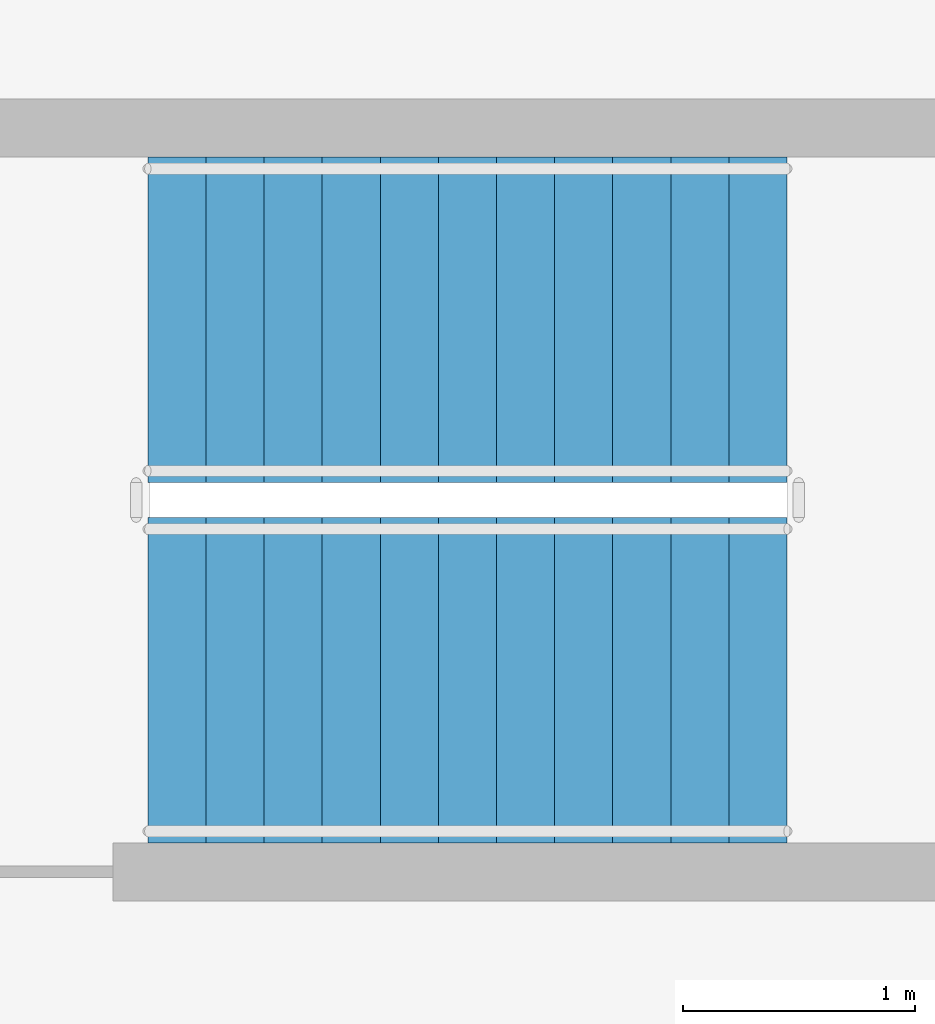
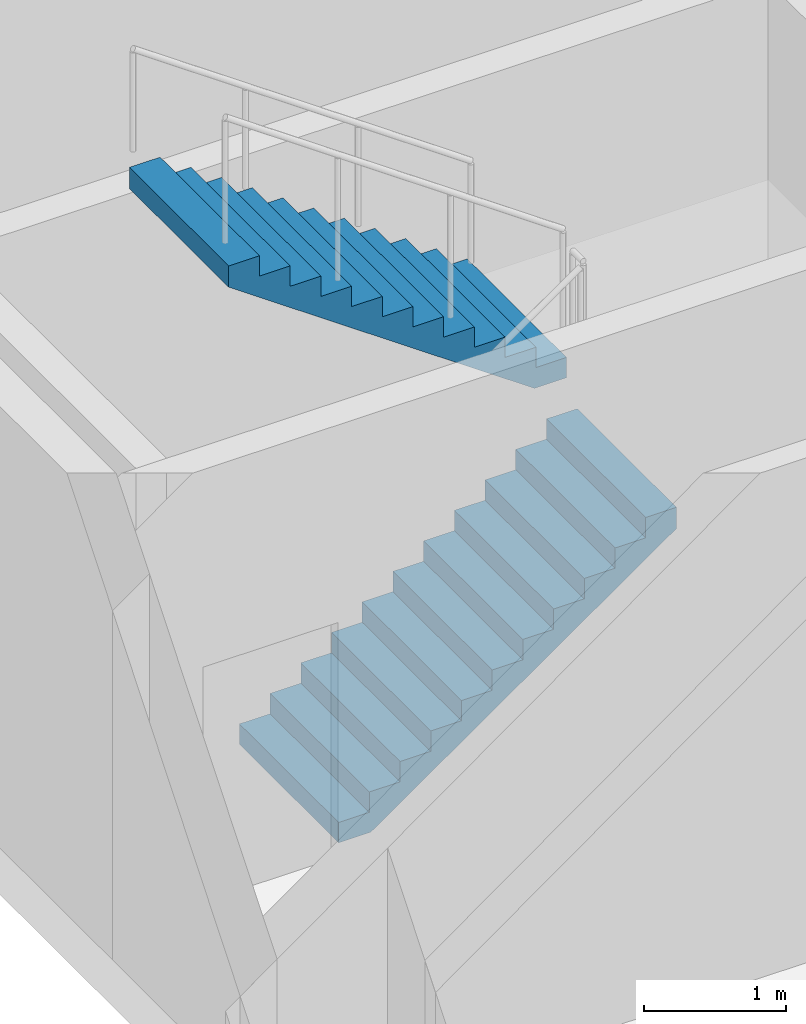
# One storey, part 10 of 14: 2 stair flights, 1 element without a shape of its own.
"""IFC4 building model written with IfcOpenShell, lengths in metres."""

from ifc_helpers import new_model, si_unit, direction, frame, origin, place, context, subcontext, project, spatial, polyline, outline, extrude, source, transform, mapped, material, type_object, element, aggregate, save


model = new_model("IFC4")

# Units and contexts
model_context = context("Model", 3, precision=1e-05, world=origin(), true_north=direction((0.0, 1.0)))
body_context = subcontext(model_context, "Body", "Model", "MODEL_VIEW")
ifc_project = project(units=[si_unit("LENGTHUNIT", "METRE"), si_unit("AREAUNIT", "SQUARE_METRE"), si_unit("VOLUMEUNIT", "CUBIC_METRE"), si_unit("PLANEANGLEUNIT", "RADIAN"), si_unit("MASSUNIT", "GRAM", prefix="KILO")], contexts=[model_context])

# Site, building, storey
site_placement = place(None, origin())
site = spatial("IfcSite", under=ifc_project, at=site_placement, CompositionType="ELEMENT")
building_placement = place(site_placement, origin())
building = spatial("IfcBuilding", under=site, at=building_placement, Name="Aurelian Terraces", CompositionType="ELEMENT")
storey_placement = place(building_placement, frame((0.0, 0.0, 90.9)))
storey = spatial("IfcBuildingStorey", under=building, at=storey_placement, Name="L19", CompositionType="ELEMENT", Elevation=90.9)

# Stair, stair flights
ifc_material = material(Name="Concrete fc' 40 MPa", Category="concrete")
stair_type = type_object("IfcStairType", Name="Stair 1400", PredefinedType="HALF_TURN_STAIR", material=ifc_material)
stair_placement = place(storey_placement, origin())
stair = element("IfcStair", 1, at=stair_placement, inside=storey, type_object=stair_type, Name="L19 S3", PredefinedType="HALF_TURN_STAIR")
stair_flight_type = type_object("IfcStairFlightType", Name="Stair flight 1400", PredefinedType="STRAIGHT", material=ifc_material)
shared_shape = source(origin(), body_context, "Body", "SweptSolid", [
    extrude(outline(polyline([(0.0, 0.0), (0.0, 0.175), (0.25, 0.175), (0.25, 0.35), (0.5, 0.35), (0.5, 0.525), (0.75, 0.525), (0.75, 0.7), (1.0, 0.7), (1.0, 0.875), (1.25, 0.875), (1.25, 1.05), (1.5, 1.05), (1.5, 1.225), (1.75, 1.225), (1.75, 1.4), (2.0, 1.4), (2.0, 1.575), (2.25, 1.575), (2.25, 1.75), (2.5, 1.75), (2.5, 1.925), (2.75, 1.925), (2.75, 2.1), (2.75, 1.7419), (0.2616, 0.0), (0.0, 0.0)])), frame((0.0, 0.7, 0.0), z_axis=(0.0, -1.0, 0.0), x_axis=(1.0, 0.0, 0.0)), (0.0, 0.0, 1.0), 1.4),
])
stair_flight_1_placement = place(storey_placement, frame((2.1, 41.35, 2e-08), z_axis=(0.0, 0.0, 1.0), x_axis=(1.0, 0.0, 0.0)))
stair_flight_1 = element("IfcStairFlight", 2, at=stair_flight_1_placement, type_object=stair_flight_type, Name="S3 flight 1", NumberOfRisers=12, NumberOfTreads=11, PredefinedType="STRAIGHT", RiserHeight=0.175, TreadLength=0.25, context=body_context, shape_type="MappedRepresentation", body=[
    mapped(shared_shape, transform((0.0, 0.0, 0.0), scale=1.0)),
])
stair_flight_2_placement = place(storey_placement, frame((4.85, 42.9, 2.100000019999994), z_axis=(0.0, 0.0, 1.0), x_axis=(-1.0, 0.0, 0.0)))
stair_flight_2 = element("IfcStairFlight", 3, at=stair_flight_2_placement, type_object=stair_flight_type, Name="S3 flight 2", NumberOfRisers=12, NumberOfTreads=11, PredefinedType="STRAIGHT", RiserHeight=0.175, TreadLength=0.25, context=body_context, shape_type="MappedRepresentation", body=[
    mapped(shared_shape, transform((0.0, 0.0, 0.0), scale=1.0)),
])
aggregate(stair, [stair_flight_1, stair_flight_2])

save(model, "model.ifc")
